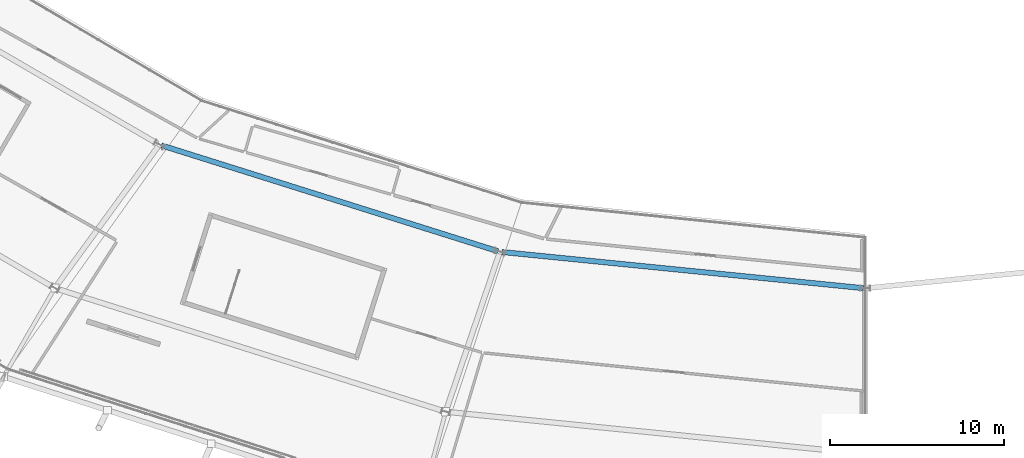
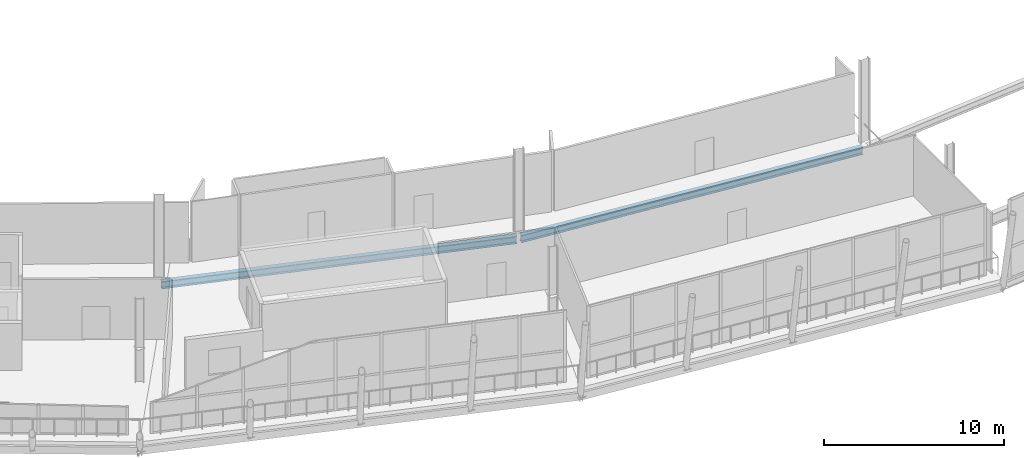
# One storey, part 22 of 99: 2 beams.
"""IFC4 building model written with IfcOpenShell, lengths in metres."""

from ifc_helpers import new_model, si_unit, direction, frame, origin, origin_2d, place, context, subcontext, project, spatial, i_section, extrude, material, material_profile, profile_set, type_object, element, save


model = new_model("IFC4")

# Units and contexts
model_context = context("Model", 3, precision=1e-05, world=origin(), true_north=direction((0.0, 1.0)))
body_context = subcontext(model_context, "Body", "Model", "MODEL_VIEW")
ifc_project = project(units=[si_unit("LENGTHUNIT", "METRE"), si_unit("AREAUNIT", "SQUARE_METRE"), si_unit("VOLUMEUNIT", "CUBIC_METRE"), si_unit("PLANEANGLEUNIT", "RADIAN"), si_unit("MASSUNIT", "GRAM", prefix="KILO")], contexts=[model_context])

# Site, building, storey
site_placement = place(None, origin())
site = spatial("IfcSite", under=ifc_project, at=site_placement, CompositionType="ELEMENT")
building_placement = place(site_placement, origin())
building = spatial("IfcBuilding", under=site, at=building_placement, Name="Zlatoyarsky Gate Stadium", CompositionType="ELEMENT")
storey_placement = place(building_placement, frame((0.0, 0.0, 26.199951171875)))
storey = spatial("IfcBuildingStorey", under=building, at=storey_placement, Name="L05", CompositionType="ELEMENT", Elevation=26.199951171875)

# Beams
ifc_material = material(Name="Steel S355", Category="steel")
ifc_material_profile = material_profile(ifc_material, i_section(OverallWidth=0.300048828125, OverallDepth=0.5, WebThickness=0.014404296875, FlangeThickness=0.028076171875, FilletRadius=0.027099609375, at=origin_2d()), Name="HEB 500")
ifc_profile_set = profile_set([ifc_material_profile], Name="Steel S355")
beam_type = type_object("IfcBeamType", Name="STEEL PRIMARY GIRDER HEB 500", PredefinedType="BEAM", material=ifc_profile_set)
beam_1_placement = place(storey_placement, frame((70.614501953125, 26.703369140625, -0.510009765625), z_axis=(0.953937507984, -0.300005384719, 0.0), x_axis=(0.300005384719, 0.953937507984, 0.0)))
element("IfcBeam", 1, at=beam_1_placement, inside=storey, type_object=beam_type, Name="Beam G-HEB500 BM-L05-CRB-16", PredefinedType="BEAM", context=body_context, shape_type="SweptSolid", body=[
    extrude(i_section(OverallWidth=0.300048828125, OverallDepth=0.5, WebThickness=0.014404296875, FlangeThickness=0.028076171875, FilletRadius=0.027099609375, at=origin_2d()), origin(), (0.0, 0.0, 1.0), 20.239013671875),
])
beam_2_placement = place(storey_placement, frame((90.155029296875, 20.583740234375, -0.510009765625), z_axis=(0.995040903182, -0.099466582298, 0.0), x_axis=(0.099466582298, 0.995040903182, 0.0)))
element("IfcBeam", 2, at=beam_2_placement, inside=storey, type_object=beam_type, Name="Beam G-HEB500 BM-L05-CRB-17", PredefinedType="BEAM", context=body_context, shape_type="SweptSolid", body=[
    extrude(i_section(OverallWidth=0.300048828125, OverallDepth=0.5, WebThickness=0.014404296875, FlangeThickness=0.028076171875, FilletRadius=0.027099609375, at=origin_2d()), origin(), (0.0, 0.0, 1.0), 20.828857421875),
])

save(model, "model.ifc")
